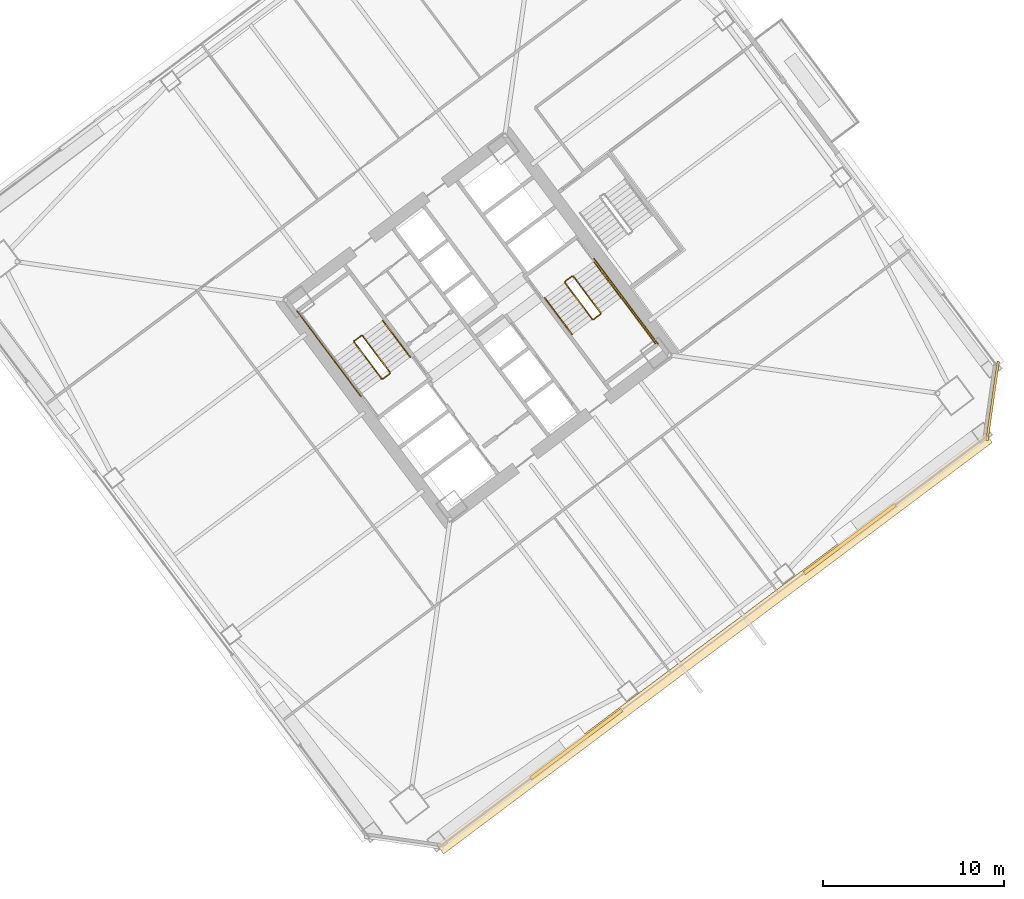
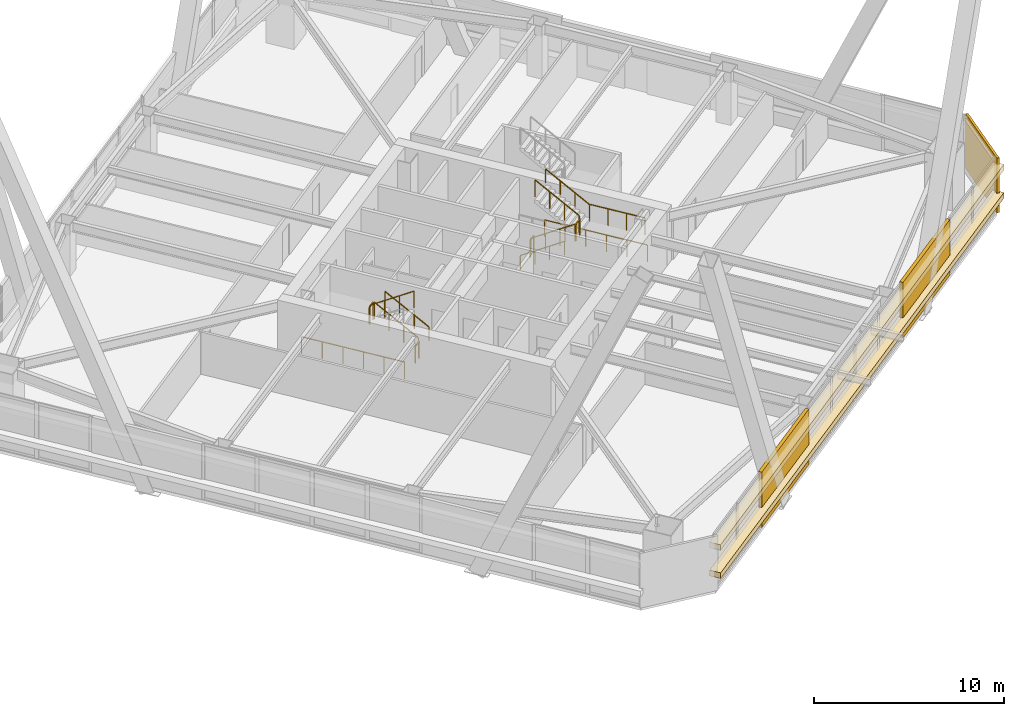
# One storey, part 72 of 75: 14 railings, 5 coverings.
"""IFC4 building model written with IfcOpenShell, lengths in metres."""

from ifc_helpers import new_model, si_unit, direction, frame, origin, origin_2d, place, context, subcontext, project, spatial, rectangle, extrude, material, layer, layer_set, type_object, element, save


model = new_model("IFC4")

# Units and contexts
model_context = context("Model", 3, precision=1e-05, world=origin(), true_north=direction((0.0, 1.0)))
body_context = subcontext(model_context, "Body", "Model", "MODEL_VIEW")
ifc_project = project(units=[si_unit("LENGTHUNIT", "METRE"), si_unit("AREAUNIT", "SQUARE_METRE"), si_unit("VOLUMEUNIT", "CUBIC_METRE"), si_unit("PLANEANGLEUNIT", "RADIAN"), si_unit("MASSUNIT", "GRAM", prefix="KILO")], contexts=[model_context])

# Site, building, storey
site_placement = place(None, origin())
site = spatial("IfcSite", under=ifc_project, at=site_placement, CompositionType="ELEMENT")
building_placement = place(site_placement, origin())
building = spatial("IfcBuilding", under=site, at=building_placement, Name="Tashvorn Skyway Center", CompositionType="ELEMENT")
storey_placement = place(building_placement, frame((0.0, 0.0, 45.89990234375)))
storey = spatial("IfcBuildingStorey", under=building, at=storey_placement, Name="L11", CompositionType="ELEMENT", Elevation=45.89990234375)

# Coverings
ifc_material_1 = material(Name="Precast concrete C40/50", Category="concrete")
ifc_layer_1 = layer(ifc_material_1, 0.199951171875)
ifc_layer_set_1 = layer_set([ifc_layer_1], Name="Precast concrete C40/50")
covering_type_1 = type_object("IfcCoveringType", Name="COV-BRACE-CLAD", PredefinedType="CLADDING", material=ifc_layer_set_1)
for number, where, z_axis, x_axis, name in (
    (1, (134.56005859375, 20.320068359375, 0.0), (0.0, 0.0, 1.0), (-0.799999996291, -0.600000004945, 0.0), "Tower 2 L11 South Unitised Curtain Wall Mega-Brace Cladding Band 1"),
    (2, (119.4560546875, 8.991943359375, 0.0), (0.0, 0.0, 1.0), (-0.799999996291, -0.600000004945, 0.0), "Tower 2 L11 South Unitised Curtain Wall Mega-Brace Cladding Band 2"),
):
    element("IfcCovering", number, at=place(storey_placement, frame(where, z_axis=z_axis, x_axis=x_axis)), inside=storey, type_object=covering_type_1, Name=name, PredefinedType="CLADDING", context=body_context, shape_type="SweptSolid", body=[
        extrude(rectangle(XDim=6.293212890625, YDim=0.199951171875, at=origin_2d()), origin(), (0.0, 0.0, 1.0), 3.550048828125),
    ])
ifc_material_2 = material(Name="Perforated ceramic-coated bronze aluminium solar screen", Category="aluminium")
ifc_layer_2 = layer(ifc_material_2, 0.85009765625)
ifc_layer_set_2 = layer_set([ifc_layer_2], Name="Perforated ceramic-coated bronze aluminium solar screen")
covering_type_2 = type_object("IfcCoveringType", Name="COV-SOLAR-BAND", PredefinedType="CLADDING", material=ifc_layer_set_2)
for number, where, z_axis, x_axis, name in (
    (3, (127.092041015625, 14.5439453125, 0.919921875), (0.0, 0.0, 1.0), (-0.799999996291, -0.600000004945, 0.0), "L11 Perforated Ceramic-Metal Solar Screen Louvre Band South 1"),
    (4, (127.092041015625, 14.5439453125, 2.72021484375), (0.0, 0.0, 1.0), (-0.799999996291, -0.600000004945, 0.0), "L11 Perforated Ceramic-Metal Solar Screen Louvre Band South 2"),
):
    element("IfcCovering", number, at=place(storey_placement, frame(where, z_axis=z_axis, x_axis=x_axis)), inside=storey, type_object=covering_type_2, Name=name, PredefinedType="CLADDING", context=body_context, shape_type="SweptSolid", body=[
        extrude(rectangle(XDim=37.8798828125, YDim=0.639892578125, at=origin_2d()), origin(), (0.0, 0.0, 1.0), 0.360107421875),
    ])
ifc_layer_3 = layer(ifc_material_1, 0.35009765625)
ifc_layer_set_3 = layer_set([ifc_layer_3], Name="Precast concrete C40/50")
covering_type_3 = type_object("IfcCoveringType", Name="COV-STONE-TRIM", PredefinedType="CLADDING", material=ifc_layer_set_3)
covering_placement = place(storey_placement, frame((142.447998046875, 27.93603515625, 0.02001953125), z_axis=(0.0, 0.0, 1.0), x_axis=(0.141421350118, 0.989949494535, 0.0)))
element("IfcCovering", 5, at=covering_placement, inside=storey, type_object=covering_type_3, Name="Tower 2 L11 SE Mojave Limestone Corner Quoin", PredefinedType="CLADDING", context=body_context, shape_type="SweptSolid", body=[
    extrude(rectangle(XDim=4.402587890625, YDim=0.139892578125, at=origin_2d()), origin(), (0.0, 0.0, 1.0), 3.510009765625),
])

# Railings
ifc_material_3 = material(Name="Brushed stainless steel 316", Category="steel")
railing_type_1 = type_object("IfcRailingType", Name="RAIL-HAND-920", PredefinedType="HANDRAIL", material=ifc_material_3)
railing_1_placement = place(storey_placement, frame((110.2880859375, 30.365966796875, 0.177490234375)))
element("IfcRailing", 6, at=railing_1_placement, inside=storey, type_object=railing_type_1, Name="L11 ST-T2-1 stair handrail 1", PredefinedType="HANDRAIL", context=body_context, shape_type="SweptSolid", body=[
    extrude(rectangle(XDim=0.048095703125, YDim=0.048095703125, at=origin_2d()), frame((0.0, 0.0, 0.8759765625), z_axis=(-0.506779409603, 0.675651334276, 0.53541563714), x_axis=(-0.799976749893, -0.600030998891, 0.0)), (0.0, 0.0, 1.0), 2.98388671875),
    extrude(rectangle(XDim=0.0419921875, YDim=0.0419921875, at=origin_2d()), origin(), (0.0, 0.0, 1.0), 0.851806640625),
    extrude(rectangle(XDim=0.0419921875, YDim=0.0419921875, at=origin_2d()), frame((-0.504150390625, 0.672119140625, 0.532470703125)), (0.0, 0.0, 1.0), 0.851806640625),
    extrude(rectangle(XDim=0.0419921875, YDim=0.0419921875, at=origin_2d()), frame((-1.008056640625, 1.343994140625, 1.065185546875)), (0.0, 0.0, 1.0), 0.851806640625),
    extrude(rectangle(XDim=0.0419921875, YDim=0.0419921875, at=origin_2d()), frame((-1.51220703125, 2.01611328125, 1.59765625)), (0.0, 0.0, 1.0), 0.851806640625),
])
railing_2_placement = place(storey_placement, frame((117.7119140625, 33.634033203125, 0.177490234375)))
element("IfcRailing", 7, at=railing_2_placement, inside=storey, type_object=railing_type_1, Name="L11 ST-T2-2 stair handrail 1", PredefinedType="HANDRAIL", context=body_context, shape_type="SweptSolid", body=[
    extrude(rectangle(XDim=0.048095703125, YDim=0.048095703125, at=origin_2d()), frame((0.0, 0.0, 0.8759765625), z_axis=(0.506779409603, -0.675651334276, 0.53541563714), x_axis=(0.799976749893, 0.600030998891, 0.0)), (0.0, 0.0, 1.0), 2.98388671875),
    extrude(rectangle(XDim=0.0419921875, YDim=0.0419921875, at=origin_2d()), origin(), (0.0, 0.0, 1.0), 0.851806640625),
    extrude(rectangle(XDim=0.0419921875, YDim=0.0419921875, at=origin_2d()), frame((0.504150390625, -0.672119140625, 0.532470703125)), (0.0, 0.0, 1.0), 0.851806640625),
    extrude(rectangle(XDim=0.0419921875, YDim=0.0419921875, at=origin_2d()), frame((1.008056640625, -1.343994140625, 1.065185546875)), (0.0, 0.0, 1.0), 0.851806640625),
    extrude(rectangle(XDim=0.0419921875, YDim=0.0419921875, at=origin_2d()), frame((1.51220703125, -2.01611328125, 1.59765625)), (0.0, 0.0, 1.0), 0.851806640625),
])
railing_3_placement = place(storey_placement, frame((121.927978515625, 33.64599609375, 1.95263671875)))
element("IfcRailing", 8, at=railing_3_placement, inside=storey, type_object=railing_type_1, Name="L11 ST-T2-2 stair handrail 2", PredefinedType="HANDRAIL", context=body_context, shape_type="SweptSolid", body=[
    extrude(rectangle(XDim=0.048095703125, YDim=0.048095703125, at=origin_2d()), frame((0.0, 0.0, 0.8759765625), z_axis=(-0.506740800098, 0.675708949977, 0.535379469569), x_axis=(-0.800023250257, -0.599968998406, 0.0)), (0.0, 0.0, 1.0), 2.983642578125),
    extrude(rectangle(XDim=0.0419921875, YDim=0.0419921875, at=origin_2d()), origin(), (0.0, 0.0, 1.0), 0.851806640625),
    extrude(rectangle(XDim=0.0419921875, YDim=0.0419921875, at=origin_2d()), frame((-0.50390625, 0.672119140625, 0.532470703125)), (0.0, 0.0, 1.0), 0.851806640625),
    extrude(rectangle(XDim=0.0419921875, YDim=0.0419921875, at=origin_2d()), frame((-1.008056640625, 1.343994140625, 1.06494140625)), (0.0, 0.0, 1.0), 0.851806640625),
    extrude(rectangle(XDim=0.0419921875, YDim=0.0419921875, at=origin_2d()), frame((-1.511962890625, 2.01611328125, 1.597412109375)), (0.0, 0.0, 1.0), 0.851806640625),
])
ifc_material_4 = material(Name="Painted galvanized steel S355", Category="steel")
railing_type_2 = type_object("IfcRailingType", Name="RAIL-STGUARD-1100", PredefinedType="GUARDRAIL", material=ifc_material_4)
railing_4_placement = place(storey_placement, frame((109.16796875, 29.52587890625, 0.177490234375)))
element("IfcRailing", 9, at=railing_4_placement, inside=storey, type_object=railing_type_2, Name="L11 ST-T2-1 stair guard 1", PredefinedType="GUARDRAIL", context=body_context, shape_type="SweptSolid", body=[
    extrude(rectangle(XDim=0.048095703125, YDim=0.048095703125, at=origin_2d()), frame((0.0, 0.0, 1.076171875), z_axis=(-0.506718600913, 0.675679348675, 0.535437836974), x_axis=(-0.800023250257, -0.599968998406, 0.0)), (0.0, 0.0, 1.0), 2.98388671875),
    extrude(rectangle(XDim=0.0419921875, YDim=0.0419921875, at=origin_2d()), origin(), (0.0, 0.0, 1.0), 1.052001953125),
    extrude(rectangle(XDim=0.0419921875, YDim=0.0419921875, at=origin_2d()), frame((-0.50390625, 0.672119140625, 0.532470703125)), (0.0, 0.0, 1.0), 1.052001953125),
    extrude(rectangle(XDim=0.0419921875, YDim=0.0419921875, at=origin_2d()), frame((-1.008056640625, 1.343994140625, 1.065185546875)), (0.0, 0.0, 1.0), 1.052001953125),
    extrude(rectangle(XDim=0.0419921875, YDim=0.0419921875, at=origin_2d()), frame((-1.511962890625, 2.01611328125, 1.59765625)), (0.0, 0.0, 1.0), 1.052001953125),
])
railing_5_placement = place(storey_placement, frame((107.5859375, 31.552001953125, 1.775146484375)))
element("IfcRailing", 10, at=railing_5_placement, inside=storey, type_object=railing_type_2, Name="L11 ST-T2-1 stair guard 2", PredefinedType="GUARDRAIL", context=body_context, shape_type="SweptSolid", body=[
    extrude(rectangle(XDim=0.048095703125, YDim=0.048095703125, at=origin_2d()), frame((0.0, 0.0, 1.076171875), z_axis=(-0.799938970639, -0.600081363861, 0.0), x_axis=(0.600081363861, -0.799938970639, 0.0)), (0.0, 0.0, 1.0), 0.47998046875),
    extrude(rectangle(XDim=0.0419921875, YDim=0.0419921875, at=origin_2d()), origin(), (0.0, 0.0, 1.0), 1.052001953125),
    extrude(rectangle(XDim=0.0419921875, YDim=0.0419921875, at=origin_2d()), frame((-0.384033203125, -0.2880859375, 0.0)), (0.0, 0.0, 1.0), 1.052001953125),
])
railing_6_placement = place(storey_placement, frame((107.19189453125, 31.194091796875, 1.95263671875)))
element("IfcRailing", 11, at=railing_6_placement, inside=storey, type_object=railing_type_2, Name="L11 ST-T2-1 stair guard 4", PredefinedType="GUARDRAIL", context=body_context, shape_type="SweptSolid", body=[
    extrude(rectangle(XDim=0.048095703125, YDim=0.048095703125, at=origin_2d()), frame((0.0, 0.0, 1.076171875), z_axis=(0.506801609611, -0.675680931896, 0.535357270211), x_axis=(0.799976749893, 0.600030998891, 0.0)), (0.0, 0.0, 1.0), 2.98388671875),
    extrude(rectangle(XDim=0.0419921875, YDim=0.0419921875, at=origin_2d()), origin(), (0.0, 0.0, 1.0), 1.052001953125),
    extrude(rectangle(XDim=0.0419921875, YDim=0.0419921875, at=origin_2d()), frame((0.504150390625, -0.672119140625, 0.532470703125)), (0.0, 0.0, 1.0), 1.052001953125),
    extrude(rectangle(XDim=0.0419921875, YDim=0.0419921875, at=origin_2d()), frame((1.008056640625, -1.343994140625, 1.06494140625)), (0.0, 0.0, 1.0), 1.052001953125),
    extrude(rectangle(XDim=0.0419921875, YDim=0.0419921875, at=origin_2d()), frame((1.51220703125, -2.01611328125, 1.597412109375)), (0.0, 0.0, 1.0), 1.052001953125),
])
railing_7_placement = place(storey_placement, frame((109.157958984375, 29.4560546875, 0.0)))
element("IfcRailing", 12, at=railing_7_placement, inside=storey, type_object=railing_type_2, Name="L11 ST-T2-1 stair guard 5", PredefinedType="GUARDRAIL", context=body_context, shape_type="SweptSolid", body=[
    extrude(rectangle(XDim=0.048095703125, YDim=0.048095703125, at=origin_2d()), frame((0.0, 0.0, 1.076171875), z_axis=(-0.799938970639, -0.600081363861, 0.0), x_axis=(0.600081363861, -0.799938970639, 0.0)), (0.0, 0.0, 1.0), 0.47998046875),
    extrude(rectangle(XDim=0.0419921875, YDim=0.0419921875, at=origin_2d()), origin(), (0.0, 0.0, 1.0), 1.052001953125),
    extrude(rectangle(XDim=0.0419921875, YDim=0.0419921875, at=origin_2d()), frame((-0.384033203125, -0.2880859375, 0.0)), (0.0, 0.0, 1.0), 1.052001953125),
])
railing_8_placement = place(storey_placement, frame((107.56396484375, 28.197998046875, 0.0)))
element("IfcRailing", 13, at=railing_8_placement, inside=storey, type_object=railing_type_2, Name="L11 ST-T2-1 stair guard 7", PredefinedType="GUARDRAIL", context=body_context, shape_type="SweptSolid", body=[
    extrude(rectangle(XDim=0.048095703125, YDim=0.048095703125, at=origin_2d()), frame((0.0, 0.0, 1.076171875), z_axis=(-0.6, 0.8, 0.0), x_axis=(-0.8, -0.6, 0.0)), (0.0, 0.0, 1.0), 5.880126953125),
    extrude(rectangle(XDim=0.0419921875, YDim=0.0419921875, at=origin_2d()), origin(), (0.0, 0.0, 1.0), 1.052001953125),
    extrude(rectangle(XDim=0.0419921875, YDim=0.0419921875, at=origin_2d()), frame((-0.70556640625, 0.94091796875, 0.0)), (0.0, 0.0, 1.0), 1.052001953125),
    extrude(rectangle(XDim=0.0419921875, YDim=0.0419921875, at=origin_2d()), frame((-1.4111328125, 1.881591796875, 0.0)), (0.0, 0.0, 1.0), 1.052001953125),
    extrude(rectangle(XDim=0.0419921875, YDim=0.0419921875, at=origin_2d()), frame((-2.116943359375, 2.822509765625, 0.0)), (0.0, 0.0, 1.0), 1.052001953125),
    extrude(rectangle(XDim=0.0419921875, YDim=0.0419921875, at=origin_2d()), frame((-2.822509765625, 3.76318359375, 0.0)), (0.0, 0.0, 1.0), 1.052001953125),
    extrude(rectangle(XDim=0.0419921875, YDim=0.0419921875, at=origin_2d()), frame((-3.528076171875, 4.7041015625, 0.0)), (0.0, 0.0, 1.0), 1.052001953125),
])
railing_9_placement = place(storey_placement, frame((118.83203125, 34.47412109375, 0.177490234375)))
element("IfcRailing", 14, at=railing_9_placement, inside=storey, type_object=railing_type_2, Name="L11 ST-T2-2 stair guard 1", PredefinedType="GUARDRAIL", context=body_context, shape_type="SweptSolid", body=[
    extrude(rectangle(XDim=0.048095703125, YDim=0.048095703125, at=origin_2d()), frame((0.0, 0.0, 1.076171875), z_axis=(0.506718600913, -0.675679348675, 0.535437836974), x_axis=(0.800023250257, 0.599968998406, 0.0)), (0.0, 0.0, 1.0), 2.98388671875),
    extrude(rectangle(XDim=0.0419921875, YDim=0.0419921875, at=origin_2d()), origin(), (0.0, 0.0, 1.0), 1.052001953125),
    extrude(rectangle(XDim=0.0419921875, YDim=0.0419921875, at=origin_2d()), frame((0.50390625, -0.672119140625, 0.532470703125)), (0.0, 0.0, 1.0), 1.052001953125),
    extrude(rectangle(XDim=0.0419921875, YDim=0.0419921875, at=origin_2d()), frame((1.008056640625, -1.343994140625, 1.065185546875)), (0.0, 0.0, 1.0), 1.052001953125),
    extrude(rectangle(XDim=0.0419921875, YDim=0.0419921875, at=origin_2d()), frame((1.511962890625, -2.01611328125, 1.59765625)), (0.0, 0.0, 1.0), 1.052001953125),
])
railing_10_placement = place(storey_placement, frame((120.4140625, 32.447998046875, 1.775146484375)))
element("IfcRailing", 15, at=railing_10_placement, inside=storey, type_object=railing_type_2, Name="L11 ST-T2-2 stair guard 2", PredefinedType="GUARDRAIL", context=body_context, shape_type="SweptSolid", body=[
    extrude(rectangle(XDim=0.048095703125, YDim=0.048095703125, at=origin_2d()), frame((0.0, 0.0, 1.076171875), z_axis=(0.799938970639, 0.600081363861, 0.0), x_axis=(-0.600081363861, 0.799938970639, 0.0)), (0.0, 0.0, 1.0), 0.47998046875),
    extrude(rectangle(XDim=0.0419921875, YDim=0.0419921875, at=origin_2d()), origin(), (0.0, 0.0, 1.0), 1.052001953125),
    extrude(rectangle(XDim=0.0419921875, YDim=0.0419921875, at=origin_2d()), frame((0.384033203125, 0.2880859375, 0.0)), (0.0, 0.0, 1.0), 1.052001953125),
])
railing_11_placement = place(storey_placement, frame((121.927978515625, 33.64599609375, 1.775146484375)))
element("IfcRailing", 16, at=railing_11_placement, inside=storey, type_object=railing_type_2, Name="L11 ST-T2-2 stair guard 3", PredefinedType="GUARDRAIL", context=body_context, shape_type="SweptSolid", body=[
    extrude(rectangle(XDim=0.048095703125, YDim=0.048095703125, at=origin_2d()), frame((0.0, 0.0, 1.076171875), z_axis=(0.599987638607, -0.800009270896, 0.0), x_axis=(0.800009270896, 0.599987638607, 0.0)), (0.0, 0.0, 1.0), 3.16015625),
    extrude(rectangle(XDim=0.0419921875, YDim=0.0419921875, at=origin_2d()), origin(), (0.0, 0.0, 1.0), 1.052001953125),
    extrude(rectangle(XDim=0.0419921875, YDim=0.0419921875, at=origin_2d()), frame((0.632080078125, -0.8427734375, 0.0)), (0.0, 0.0, 1.0), 1.052001953125),
    extrude(rectangle(XDim=0.0419921875, YDim=0.0419921875, at=origin_2d()), frame((1.263916015625, -1.685302734375, 0.0)), (0.0, 0.0, 1.0), 1.052001953125),
    extrude(rectangle(XDim=0.0419921875, YDim=0.0419921875, at=origin_2d()), frame((1.89599609375, -2.528076171875, 0.0)), (0.0, 0.0, 1.0), 1.052001953125),
])
railing_12_placement = place(storey_placement, frame((120.80810546875, 32.805908203125, 1.95263671875)))
element("IfcRailing", 17, at=railing_12_placement, inside=storey, type_object=railing_type_2, Name="L11 ST-T2-2 stair guard 4", PredefinedType="GUARDRAIL", context=body_context, shape_type="SweptSolid", body=[
    extrude(rectangle(XDim=0.048095703125, YDim=0.048095703125, at=origin_2d()), frame((0.0, 0.0, 1.076171875), z_axis=(-0.506801609611, 0.675680931896, 0.535357270211), x_axis=(-0.799976749893, -0.600030998891, 0.0)), (0.0, 0.0, 1.0), 2.98388671875),
    extrude(rectangle(XDim=0.0419921875, YDim=0.0419921875, at=origin_2d()), origin(), (0.0, 0.0, 1.0), 1.052001953125),
    extrude(rectangle(XDim=0.0419921875, YDim=0.0419921875, at=origin_2d()), frame((-0.504150390625, 0.672119140625, 0.532470703125)), (0.0, 0.0, 1.0), 1.052001953125),
    extrude(rectangle(XDim=0.0419921875, YDim=0.0419921875, at=origin_2d()), frame((-1.008056640625, 1.343994140625, 1.06494140625)), (0.0, 0.0, 1.0), 1.052001953125),
    extrude(rectangle(XDim=0.0419921875, YDim=0.0419921875, at=origin_2d()), frame((-1.51220703125, 2.01611328125, 1.597412109375)), (0.0, 0.0, 1.0), 1.052001953125),
])
railing_13_placement = place(storey_placement, frame((118.842041015625, 34.5439453125, 0.0)))
element("IfcRailing", 18, at=railing_13_placement, inside=storey, type_object=railing_type_2, Name="L11 ST-T2-2 stair guard 5", PredefinedType="GUARDRAIL", context=body_context, shape_type="SweptSolid", body=[
    extrude(rectangle(XDim=0.048095703125, YDim=0.048095703125, at=origin_2d()), frame((0.0, 0.0, 1.076171875), z_axis=(0.799938970639, 0.600081363861, 0.0), x_axis=(-0.600081363861, 0.799938970639, 0.0)), (0.0, 0.0, 1.0), 0.47998046875),
    extrude(rectangle(XDim=0.0419921875, YDim=0.0419921875, at=origin_2d()), origin(), (0.0, 0.0, 1.0), 1.052001953125),
    extrude(rectangle(XDim=0.0419921875, YDim=0.0419921875, at=origin_2d()), frame((0.384033203125, 0.2880859375, 0.0)), (0.0, 0.0, 1.0), 1.052001953125),
])
railing_14_placement = place(storey_placement, frame((120.43603515625, 35.802001953125, 0.0)))
element("IfcRailing", 19, at=railing_14_placement, inside=storey, type_object=railing_type_2, Name="L11 ST-T2-2 stair guard 7", PredefinedType="GUARDRAIL", context=body_context, shape_type="SweptSolid", body=[
    extrude(rectangle(XDim=0.048095703125, YDim=0.048095703125, at=origin_2d()), frame((0.0, 0.0, 1.076171875), z_axis=(0.6, -0.8, 0.0), x_axis=(0.8, 0.6, 0.0)), (0.0, 0.0, 1.0), 5.880126953125),
    extrude(rectangle(XDim=0.0419921875, YDim=0.0419921875, at=origin_2d()), origin(), (0.0, 0.0, 1.0), 1.052001953125),
    extrude(rectangle(XDim=0.0419921875, YDim=0.0419921875, at=origin_2d()), frame((0.70556640625, -0.94091796875, 0.0)), (0.0, 0.0, 1.0), 1.052001953125),
    extrude(rectangle(XDim=0.0419921875, YDim=0.0419921875, at=origin_2d()), frame((1.4111328125, -1.881591796875, 0.0)), (0.0, 0.0, 1.0), 1.052001953125),
    extrude(rectangle(XDim=0.0419921875, YDim=0.0419921875, at=origin_2d()), frame((2.116943359375, -2.822509765625, 0.0)), (0.0, 0.0, 1.0), 1.052001953125),
    extrude(rectangle(XDim=0.0419921875, YDim=0.0419921875, at=origin_2d()), frame((2.822509765625, -3.76318359375, 0.0)), (0.0, 0.0, 1.0), 1.052001953125),
    extrude(rectangle(XDim=0.0419921875, YDim=0.0419921875, at=origin_2d()), frame((3.528076171875, -4.7041015625, 0.0)), (0.0, 0.0, 1.0), 1.052001953125),
])

save(model, "model.ifc")
